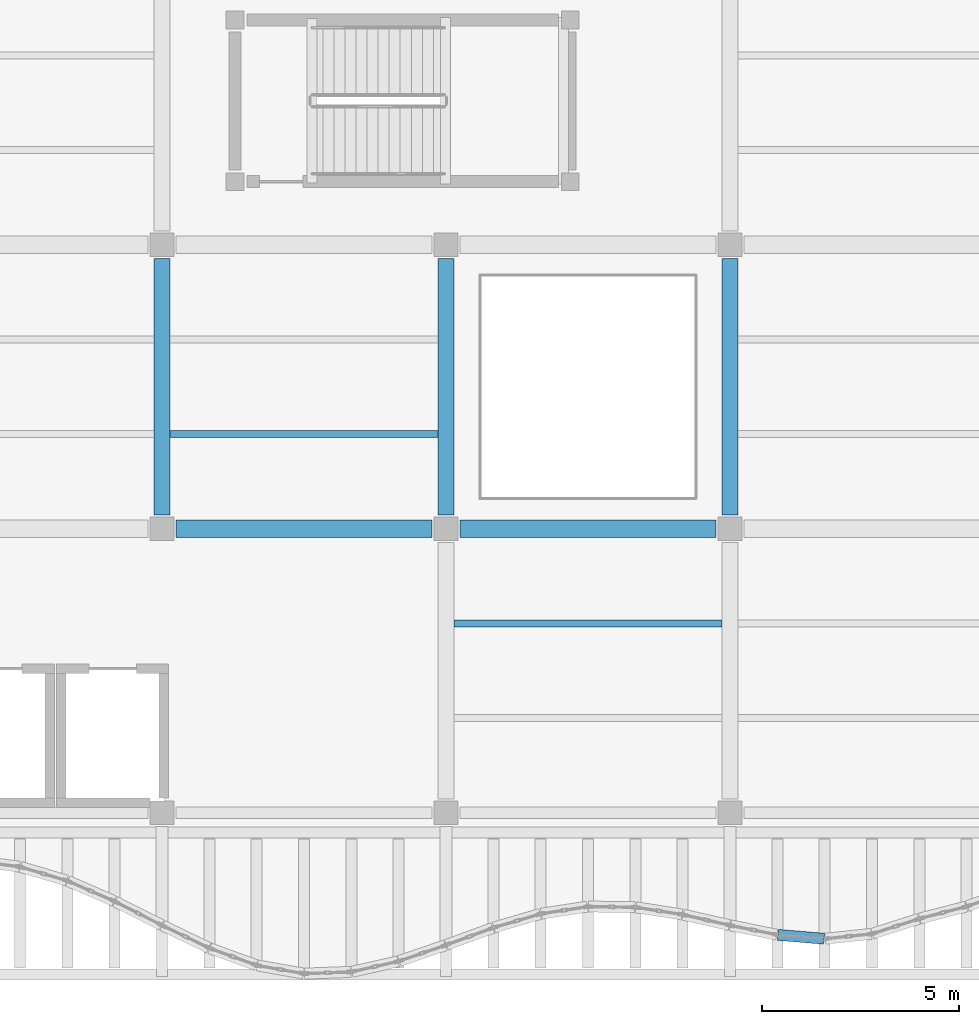
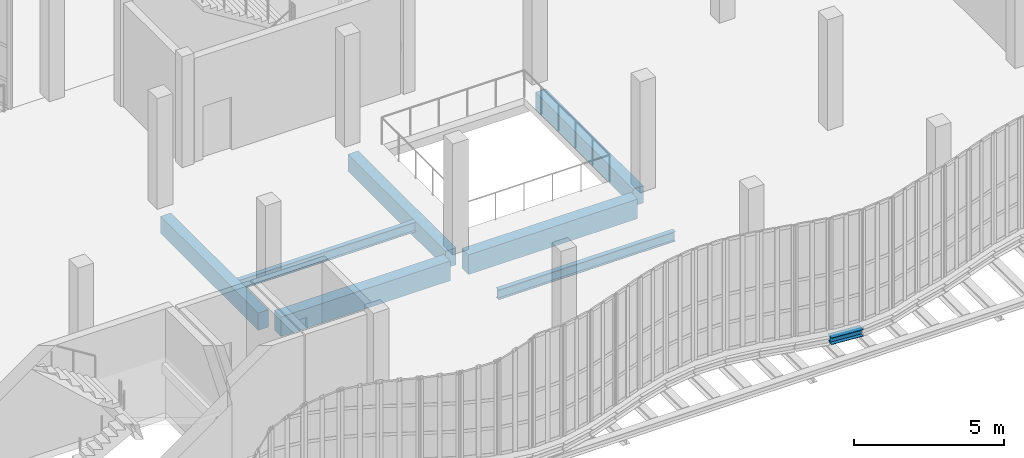
# One storey, part 28 of 105: 8 beams.
"""IFC4 building model written with IfcOpenShell, lengths in metres."""

from ifc_helpers import new_model, si_unit, direction, frame, origin, origin_2d, place, context, subcontext, project, spatial, rectangle, i_section, extrude, material, material_profile, profile_set, type_object, element, save


model = new_model("IFC4")

# Units and contexts
model_context = context("Model", 3, precision=1e-05, world=origin(), true_north=direction((0.0, 1.0)))
body_context = subcontext(model_context, "Body", "Model", "MODEL_VIEW")
ifc_project = project(units=[si_unit("LENGTHUNIT", "METRE"), si_unit("AREAUNIT", "SQUARE_METRE"), si_unit("VOLUMEUNIT", "CUBIC_METRE"), si_unit("PLANEANGLEUNIT", "RADIAN"), si_unit("MASSUNIT", "GRAM", prefix="KILO"), si_unit("THERMODYNAMICTEMPERATUREUNIT", "KELVIN"), si_unit("POWERUNIT", "WATT")], contexts=[model_context])

# Site, building, storey
site_placement = place(None, origin())
site = spatial("IfcSite", under=ifc_project, at=site_placement, CompositionType="ELEMENT")
building_placement = place(site_placement, origin())
building = spatial("IfcBuilding", under=site, at=building_placement, Name="Kaldorven Railside Theatre", CompositionType="ELEMENT")
storey_placement = place(building_placement, frame((0.0, 0.0, 9.89990234375)))
storey = spatial("IfcBuildingStorey", under=building, at=storey_placement, Name="L02", CompositionType="ELEMENT", Elevation=9.89990234375)

# Beams
ifc_material_1 = material(Name="Steel S355", Category="steel")
ifc_material_profile_1 = material_profile(ifc_material_1, i_section(OverallWidth=0.280029296875, OverallDepth=0.280029296875, WebThickness=0.010498046875, FlangeThickness=0.01806640625, at=origin_2d()), Name="HEB 280")
ifc_profile_set_1 = profile_set([ifc_material_profile_1], Name="Steel S355")
beam_type_1 = type_object("IfcBeamType", Name="BM-HEB280", PredefinedType="SPANDREL", material=ifc_profile_set_1)
beam_placement = place(storey_placement, frame((88.414794921875, 16.103271484375, -0.419921875), z_axis=(0.996519905815, -0.083355127708, 0.0), x_axis=(0.083355127708, 0.996519905815, 0.0)))
element("IfcBeam", 1, at=beam_placement, inside=storey, type_object=beam_type_1, Name="L02 Sinusoidal Flute Edge Spandrel FSB-116", PredefinedType="SPANDREL", context=body_context, shape_type="SweptSolid", body=[
    extrude(i_section(OverallWidth=0.280029296875, OverallDepth=0.280029296875, WebThickness=0.010498046875, FlangeThickness=0.01806640625, at=origin_2d()), origin(), (0.0, 0.0, 1.0), 1.174560546875),
])
ifc_material_profile_2 = material_profile(ifc_material_1, i_section(OverallWidth=0.179931640625, OverallDepth=0.39990234375, WebThickness=0.008544921875, FlangeThickness=0.013427734375, at=origin_2d()), Name="IPE 400")
ifc_profile_set_2 = profile_set([ifc_material_profile_2], Name="Steel S355")
beam_type_2 = type_object("IfcBeamType", Name="BM-IPE400", PredefinedType="JOIST", material=ifc_profile_set_2)
for number, where, z_axis, x_axis, name in (
    (2, (80.199951171875, 24.0, -0.47998046875), (1.0, 0.0, 0.0), (0.0, 1.0, 0.0), "L02 Secondary Floor Joist JG-L02-080-0240"),
    (3, (73.0, 28.800048828125, -0.47998046875), (1.0, 0.0, 0.0), (0.0, 1.0, 0.0), "L02 Secondary Floor Joist JG-L02-072-0288"),
):
    element("IfcBeam", number, at=place(storey_placement, frame(where, z_axis=z_axis, x_axis=x_axis)), inside=storey, type_object=beam_type_2, Name=name, PredefinedType="JOIST", context=body_context, shape_type="SweptSolid", body=[
        extrude(i_section(OverallWidth=0.179931640625, OverallDepth=0.39990234375, WebThickness=0.008544921875, FlangeThickness=0.013427734375, at=origin_2d()), origin(), (0.0, 0.0, 1.0), 6.800048828125),
    ])
ifc_material_2 = material(Name="Concrete C40/50", Category="concrete")
ifc_material_profile_3 = material_profile(ifc_material_2, rectangle(XDim=0.39990234375, YDim=0.699951171875, at=origin_2d()), Name="RC 400x700")
ifc_profile_set_3 = profile_set([ifc_material_profile_3], Name="Concrete C40/50")
beam_type_3 = type_object("IfcBeamType", Name="BM-RC400x700", PredefinedType="BEAM", material=ifc_profile_set_3)
for number, where, z_axis, x_axis, name in (
    (4, (72.800048828125, 26.75, -0.6298828125), (0.0, 1.0, 0.0), (-1.0, 0.0, 0.0), "L02 Girder BGY-L02-072-026-72"),
    (5, (80.0, 26.75, -0.6298828125), (0.0, 1.0, 0.0), (-1.0, 0.0, 0.0), "L02 Girder BGY-L02-080-026-72"),
    (6, (87.199951171875, 26.75, -0.6298828125), (0.0, 1.0, 0.0), (-1.0, 0.0, 0.0), "L02 Girder BGY-L02-087-026-72"),
):
    element("IfcBeam", number, at=place(storey_placement, frame(where, z_axis=z_axis, x_axis=x_axis)), inside=storey, type_object=beam_type_3, Name=name, PredefinedType="BEAM", context=body_context, shape_type="SweptSolid", body=[
        extrude(rectangle(XDim=0.39990234375, YDim=0.699951171875, at=origin_2d()), origin(), (0.0, 0.0, 1.0), 6.5),
    ])
ifc_material_profile_4 = material_profile(ifc_material_2, rectangle(XDim=0.449951171875, YDim=0.800048828125, at=origin_2d()), Name="RC 450x800")
ifc_profile_set_4 = profile_set([ifc_material_profile_4], Name="Concrete C40/50")
beam_type_4 = type_object("IfcBeamType", Name="BM-RC450x800", PredefinedType="BEAM", material=ifc_profile_set_4)
for number, where, z_axis, x_axis, name in (
    (7, (73.14990234375, 26.39990234375, -0.679931640625), (1.0, 0.0, 0.0), (0.0, 1.0, 0.0), "L02 Girder BGX-L02-072-026"),
    (8, (80.35009765625, 26.39990234375, -0.679931640625), (1.0, 0.0, 0.0), (0.0, 1.0, 0.0), "L02 Girder BGX-L02-080-026"),
):
    element("IfcBeam", number, at=place(storey_placement, frame(where, z_axis=z_axis, x_axis=x_axis)), inside=storey, type_object=beam_type_4, Name=name, PredefinedType="BEAM", context=body_context, shape_type="SweptSolid", body=[
        extrude(rectangle(XDim=0.449951171875, YDim=0.800048828125, at=origin_2d()), origin(), (0.0, 0.0, 1.0), 6.5),
    ])

save(model, "model.ifc")
